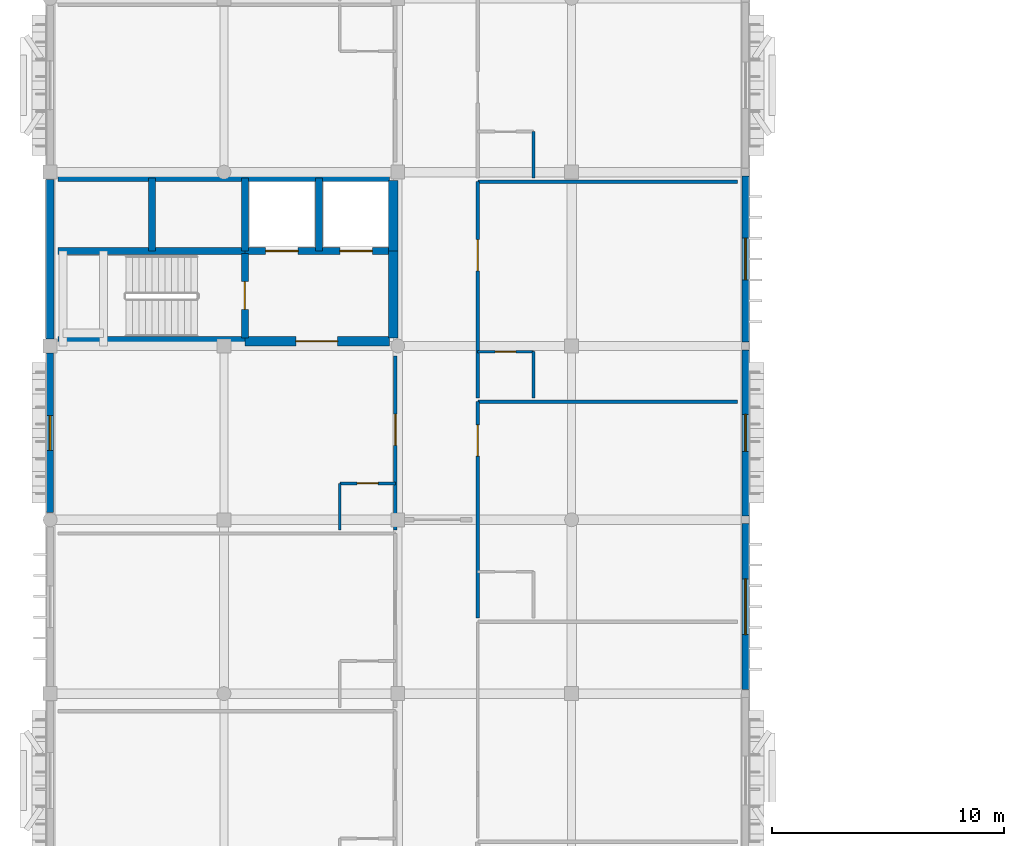
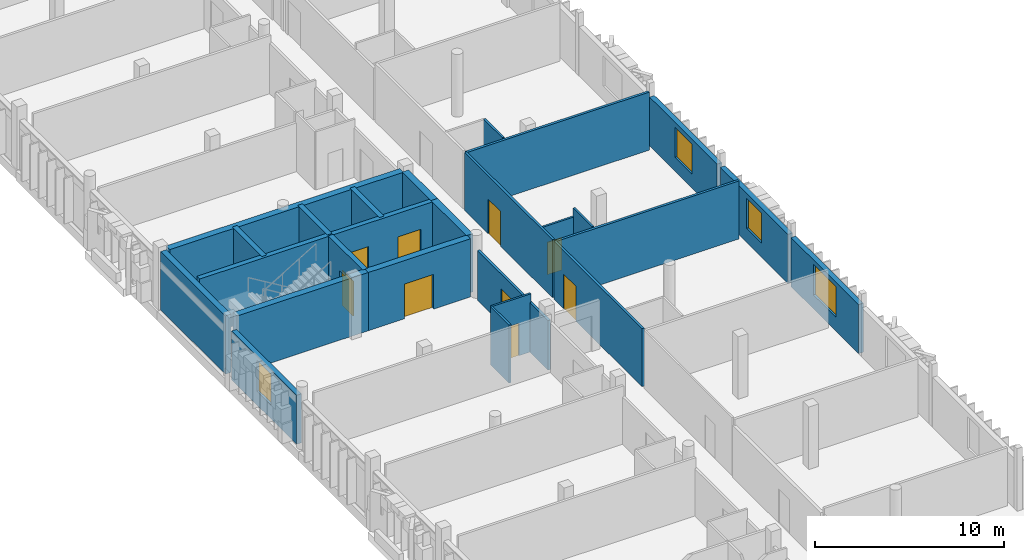
# One storey, part 13 of 33: 26 walls, 9 doors, 4 windows, 13 openings.
"""IFC4 building model written with IfcOpenShell, lengths in metres."""

from ifc_helpers import new_model, si_unit, direction, frame, frame_2d, origin, place, context, subcontext, project, spatial, rectangle, extrude, material, layer, layer_set, type_object, element, fill, save


model = new_model("IFC4")

# Units and contexts
model_context = context("Model", 3, precision=1e-05, world=origin(), true_north=direction((0.0, 1.0)))
body_context = subcontext(model_context, "Body", "Model", "MODEL_VIEW")
ifc_project = project(units=[si_unit("LENGTHUNIT", "METRE"), si_unit("AREAUNIT", "SQUARE_METRE"), si_unit("VOLUMEUNIT", "CUBIC_METRE"), si_unit("PLANEANGLEUNIT", "RADIAN"), si_unit("MASSUNIT", "GRAM", prefix="KILO")], contexts=[model_context])

# Site, building, storey
site_placement = place(None, origin())
site = spatial("IfcSite", under=ifc_project, at=site_placement, CompositionType="ELEMENT")
building_placement = place(site_placement, origin())
building = spatial("IfcBuilding", under=site, at=building_placement, Name="Dalvernix Boulevard General Hospital", CompositionType="ELEMENT")
storey_placement = place(building_placement, frame((0.0, 0.0, 21.89990234375)))
storey = spatial("IfcBuildingStorey", under=building, at=storey_placement, Name="L05", CompositionType="ELEMENT", Elevation=21.89990234375)

# Wall
ifc_material_1 = material(Name="Concrete C40/50", Category="concrete")
ifc_layer_1 = layer(ifc_material_1, 0.39990234375)
ifc_layer_set_1 = layer_set([ifc_layer_1], Name="Concrete C40/50 (WAL-CSW-01)")
wall_type_1 = type_object("IfcWallType", Name="WAL-CSW-01", PredefinedType="SHEAR", material=ifc_layer_set_1)
wall_1_placement = place(storey_placement, frame((0.35009765625, 54.199951171875, 0.0), z_axis=(0.0, 0.0, 1.0), x_axis=(1.0, 0.0, 0.0)))
element("IfcWall", 1, at=wall_1_placement, inside=storey, type_object=wall_type_1, Name="L05 C2 south stairwell wall", PredefinedType="SHEAR", context=body_context, shape_type="SweptSolid", body=[
    extrude(rectangle(XDim=8.0498046875, YDim=0.39990234375, at=frame_2d((4.02490234375, 0.0))), origin(), (0.0, 0.0, 1.0), 3.77001953125),
])

# Wall, opening, door
wall_2_placement = place(storey_placement, frame((8.39990234375, 54.199951171875, 0.0), z_axis=(0.0, 0.0, 1.0), x_axis=(1.0, 0.0, 0.0)))
wall_2 = element("IfcWall", 2, at=wall_2_placement, inside=storey, type_object=wall_type_1, Name="L05 C2 south firefighting lobby wall", PredefinedType="SHEAR", context=body_context, shape_type="SweptSolid", body=[
    extrude(rectangle(XDim=6.25, YDim=0.39990234375, at=frame_2d((3.125, 0.0))), origin(), (0.0, 0.0, 1.0), 3.77001953125),
])
opening_1_placement = place(wall_2_placement, frame((2.199951171875, 0.0, 0.0)))
opening_1 = element("IfcOpeningElement", 3, at=opening_1_placement, cuts=wall_2, Name="Opening FD-01", PredefinedType="OPENING", context=body_context, shape_type="SweptSolid", body=[
    extrude(rectangle(XDim=1.800048828125, YDim=2.25, at=frame_2d((0.89990234375, 1.125))), frame((0.0, 0.2099609375, 0.0), z_axis=(0.0, -1.0, 0.0), x_axis=(1.0, 0.0, 0.0)), (0.0, 0.0, 1.0), 0.419921875),
])
ifc_material_2 = material(Name="Hospital laminate acoustic timber and steel frame", Category="steel")
door_type_1 = type_object("IfcDoorType", Name="DR-FD-01", OperationType="DOUBLE_DOOR_SINGLE_SWING", PredefinedType="DOOR", material=ifc_material_2)
door_1_placement = place(opening_1_placement, origin())
door_1 = element("IfcDoor", 4, at=door_1_placement, inside=storey, type_object=door_type_1, Name="L05 C2 firefighting lobby door", OperationType="DOUBLE_DOOR_SINGLE_SWING", OverallHeight=2.25, OverallWidth=1.800048828125, PredefinedType="DOOR", context=body_context, shape_type="SweptSolid", body=[
    extrude(rectangle(XDim=1.800048828125, YDim=2.25, at=frame_2d((0.89990234375, 1.125))), frame((0.0, 0.02490234375, 0.0), z_axis=(0.0, -1.0, 0.0), x_axis=(1.0, 0.0, 0.0)), (0.0, 0.0, 1.0), 0.050048828125),
])
fill(opening_1, door_1)

# Walls
wall_3_placement = place(storey_placement, frame((0.35009765625, 61.300048828125, 0.0), z_axis=(0.0, 0.0, 1.0), x_axis=(1.0, 0.0, 0.0)))
element("IfcWall", 5, at=wall_3_placement, inside=storey, type_object=wall_type_1, Name="L05 C2 north shaft core wall", PredefinedType="SHEAR", context=body_context, shape_type="SweptSolid", body=[
    extrude(rectangle(XDim=14.2998046875, YDim=0.39990234375, at=frame_2d((7.14990234375, 0.0))), origin(), (0.0, 0.0, 1.0), 3.77001953125),
])
wall_4_placement = place(storey_placement, frame((14.800048828125, 54.35009765625, 0.0), z_axis=(0.0, 0.0, 1.0), x_axis=(0.0, 1.0, 0.0)))
element("IfcWall", 6, at=wall_4_placement, inside=storey, type_object=wall_type_1, Name="L05 C2 east lobby core wall", PredefinedType="SHEAR", context=body_context, shape_type="SweptSolid", body=[
    extrude(rectangle(XDim=3.75, YDim=0.39990234375, at=frame_2d((1.875, 0.0))), origin(), (0.0, 0.0, 1.0), 3.77001953125),
])
wall_5_placement = place(storey_placement, frame((14.800048828125, 58.10009765625, 0.0), z_axis=(0.0, 0.0, 1.0), x_axis=(0.0, 1.0, 0.0)))
element("IfcWall", 7, at=wall_5_placement, inside=storey, type_object=wall_type_1, Name="L05 C2 east shaft core wall", PredefinedType="SHEAR", context=body_context, shape_type="SweptSolid", body=[
    extrude(rectangle(XDim=3.0498046875, YDim=0.39990234375, at=frame_2d((1.52490234375, 0.0))), origin(), (0.0, 0.0, 1.0), 3.77001953125),
])
ifc_layer_2 = layer(ifc_material_1, 0.300048828125)
ifc_layer_set_2 = layer_set([ifc_layer_2], Name="Concrete C40/50 (WAL-CSW-02)")
wall_type_2 = type_object("IfcWallType", Name="WAL-CSW-02", PredefinedType="SHEAR", material=ifc_layer_set_2)
wall_6_placement = place(storey_placement, frame((0.35009765625, 58.10009765625, 0.0), z_axis=(0.0, 0.0, 1.0), x_axis=(1.0, 0.0, 0.0)))
element("IfcWall", 8, at=wall_6_placement, inside=storey, type_object=wall_type_2, Name="L05 C2 riser spine wall", PredefinedType="SHEAR", context=body_context, shape_type="SweptSolid", body=[
    extrude(rectangle(XDim=8.0498046875, YDim=0.300048828125, at=frame_2d((4.02490234375, 0.0))), origin(), (0.0, 0.0, 1.0), 3.77001953125),
])

# Wall, openings, doors
wall_7_placement = place(storey_placement, frame((8.39990234375, 58.10009765625, 0.0), z_axis=(0.0, 0.0, 1.0), x_axis=(1.0, 0.0, 0.0)))
wall_7 = element("IfcWall", 9, at=wall_7_placement, inside=storey, type_object=wall_type_2, Name="L05 C2 lift shaft front wall", PredefinedType="SHEAR", context=body_context, shape_type="SweptSolid", body=[
    extrude(rectangle(XDim=6.25, YDim=0.300048828125, at=frame_2d((3.125, 0.0))), origin(), (0.0, 0.0, 1.0), 3.77001953125),
])
opening_2_placement = place(wall_7_placement, frame((0.89990234375, 0.0, 0.0)))
opening_2 = element("IfcOpeningElement", 10, at=opening_2_placement, cuts=wall_7, Name="Opening LD-FFL-03-L05", PredefinedType="OPENING", context=body_context, shape_type="SweptSolid", body=[
    extrude(rectangle(XDim=1.39990234375, YDim=2.25, at=frame_2d((0.699951171875, 1.125))), frame((0.0, 0.159912109375, 0.0), z_axis=(0.0, -1.0, 0.0), x_axis=(1.0, 0.0, 0.0)), (0.0, 0.0, 1.0), 0.320068359375),
])
opening_3_placement = place(wall_7_placement, frame((4.10009765625, 0.0, 0.0)))
opening_3 = element("IfcOpeningElement", 11, at=opening_3_placement, cuts=wall_7, Name="Opening LD-FFL-04-L05", PredefinedType="OPENING", context=body_context, shape_type="SweptSolid", body=[
    extrude(rectangle(XDim=1.39990234375, YDim=2.25, at=frame_2d((0.699951171875, 1.125))), frame((0.0, 0.159912109375, 0.0), z_axis=(0.0, -1.0, 0.0), x_axis=(1.0, 0.0, 0.0)), (0.0, 0.0, 1.0), 0.320068359375),
])
ifc_material_3 = material(Name="Stainless-clad steel", Category="steel")
door_type_2 = type_object("IfcDoorType", Name="DR-LD-01", OperationType="DOUBLE_DOOR_SLIDING", PredefinedType="DOOR", material=ifc_material_3)
door_2_placement = place(opening_2_placement, origin())
door_2 = element("IfcDoor", 12, at=door_2_placement, inside=storey, type_object=door_type_2, Name="L05 Lift FFL-03 sliding landing door", OperationType="DOUBLE_DOOR_SLIDING", OverallHeight=2.25, OverallWidth=1.39990234375, PredefinedType="DOOR", context=body_context, shape_type="SweptSolid", body=[
    extrude(rectangle(XDim=1.39990234375, YDim=2.25, at=frame_2d((0.699951171875, 1.125))), frame((0.0, 0.02490234375, 0.0), z_axis=(0.0, -1.0, 0.0), x_axis=(1.0, 0.0, 0.0)), (0.0, 0.0, 1.0), 0.050048828125),
])
fill(opening_2, door_2)
door_3_placement = place(opening_3_placement, origin())
door_3 = element("IfcDoor", 13, at=door_3_placement, inside=storey, type_object=door_type_2, Name="L05 Lift FFL-04 sliding landing door", OperationType="DOUBLE_DOOR_SLIDING", OverallHeight=2.25, OverallWidth=1.39990234375, PredefinedType="DOOR", context=body_context, shape_type="SweptSolid", body=[
    extrude(rectangle(XDim=1.39990234375, YDim=2.25, at=frame_2d((0.699951171875, 1.125))), frame((0.0, 0.02490234375, 0.0), z_axis=(0.0, -1.0, 0.0), x_axis=(1.0, 0.0, 0.0)), (0.0, 0.0, 1.0), 0.050048828125),
])
fill(opening_3, door_3)

# Wall, opening, door
wall_8_placement = place(storey_placement, frame((8.39990234375, 58.0, 0.0), z_axis=(0.0, 0.0, 1.0), x_axis=(0.0, -1.0, 0.0)))
wall_8 = element("IfcWall", 14, at=wall_8_placement, inside=storey, type_object=wall_type_2, Name="L05 C2 stairwell fire wall", PredefinedType="SHEAR", context=body_context, shape_type="SweptSolid", body=[
    extrude(rectangle(XDim=3.64990234375, YDim=0.300048828125, at=frame_2d((1.824951171875, 0.0))), origin(), (0.0, 0.0, 1.0), 3.77001953125),
])
opening_4_placement = place(wall_8_placement, frame((1.219970703125, 0.0, 0.0)))
opening_4 = element("IfcOpeningElement", 15, at=opening_4_placement, cuts=wall_8, Name="Opening FD-02", PredefinedType="OPENING", context=body_context, shape_type="SweptSolid", body=[
    extrude(rectangle(XDim=1.199951171875, YDim=2.25, at=frame_2d((0.60009765625, 1.125))), frame((0.0, 0.159912109375, 0.0), z_axis=(0.0, -1.0, 0.0), x_axis=(1.0, 0.0, 0.0)), (0.0, 0.0, 1.0), 0.320068359375),
])
door_type_3 = type_object("IfcDoorType", Name="DR-FD-02", OperationType="NOTDEFINED", PredefinedType="DOOR", material=ifc_material_2)
door_4_placement = place(opening_4_placement, origin())
door_4 = element("IfcDoor", 16, at=door_4_placement, inside=storey, type_object=door_type_3, Name="L05 Stair ST-02 fire door", OperationType="SINGLE_SWING_LEFT", OverallHeight=2.25, OverallWidth=1.199951171875, PredefinedType="DOOR", context=body_context, shape_type="SweptSolid", body=[
    extrude(rectangle(XDim=1.199951171875, YDim=2.25, at=frame_2d((0.60009765625, 1.125))), frame((0.0, 0.02490234375, 0.0), z_axis=(0.0, -1.0, 0.0), x_axis=(1.0, 0.0, 0.0)), (0.0, 0.0, 1.0), 0.050048828125),
])
fill(opening_4, door_4)

# Walls
for number, where, z_axis, x_axis, name in (
    (17, (4.39990234375, 58.10009765625, 0.0), (0.0, 0.0, 1.0), (0.0, 1.0, 0.0), "L05 C2 shaft divider R1"),
    (18, (8.39990234375, 58.10009765625, 0.0), (0.0, 0.0, 1.0), (0.0, 1.0, 0.0), "L05 C2 shaft divider R2"),
    (19, (11.60009765625, 58.10009765625, 0.0), (0.0, 0.0, 1.0), (0.0, 1.0, 0.0), "L05 C2 shaft divider L1"),
):
    element("IfcWall", number, at=place(storey_placement, frame(where, z_axis=z_axis, x_axis=x_axis)), inside=storey, type_object=wall_type_2, Name=name, PredefinedType="SHEAR", context=body_context, shape_type="SweptSolid", body=[
        extrude(rectangle(XDim=3.14990234375, YDim=0.300048828125, at=frame_2d((1.574951171875, 0.0))), origin(), (0.0, 0.0, 1.0), 3.77001953125),
    ])
ifc_layer_3 = layer(ifc_material_1, 0.35009765625)
ifc_layer_set_3 = layer_set([ifc_layer_3], Name="Concrete C40/50 (WAL-ESW-01)")
wall_type_3 = type_object("IfcWallType", Name="WAL-ESW-01", PredefinedType="SHEAR", material=ifc_layer_set_3)
wall_9_placement = place(storey_placement, frame((0.0, 54.31005859375, 0.0), z_axis=(0.0, 0.0, 1.0), x_axis=(0.0, 1.0, 0.0)))
element("IfcWall", 20, at=wall_9_placement, inside=storey, type_object=wall_type_3, Name="L05 core perimeter shear wall W 0-7", PredefinedType="SHEAR", context=body_context, shape_type="SweptSolid", body=[
    extrude(rectangle(XDim=6.8798828125, YDim=0.35009765625, at=frame_2d((3.43994140625, 0.0))), origin(), (0.0, 0.0, 1.0), 3.77001953125),
])

# Wall, opening, window
ifc_material_4 = material(Name="Pressed Catalan clay brick and ceramic spandrel wall C35/45", Category="masonry")
ifc_layer_4 = layer(ifc_material_4, 0.300048828125)
ifc_layer_set_4 = layer_set([ifc_layer_4], Name="Pressed Catalan clay brick and ceramic spandrel wall C35/45 (WAL-EW-02)")
wall_type_4 = type_object("IfcWallType", Name="WAL-EW-02", PredefinedType="STANDARD", material=ifc_layer_set_4)
wall_10_placement = place(storey_placement, frame((0.0, 46.81005859375, 0.0), z_axis=(0.0, 0.0, 1.0), x_axis=(0.0, 1.0, 0.0)))
wall_10 = element("IfcWall", 21, at=wall_10_placement, inside=storey, type_object=wall_type_4, Name="L05 Catalan brick external wall W 0-6", PredefinedType="STANDARD", context=body_context, shape_type="SweptSolid", body=[
    extrude(rectangle(XDim=6.8798828125, YDim=0.300048828125, at=frame_2d((3.43994140625, 0.0))), origin(), (0.0, 0.0, 1.0), 3.170166015625),
])
opening_5_placement = place(wall_10_placement, frame((2.68994140625, 0.0, 0.89990234375)))
opening_5 = element("IfcOpeningElement", 22, at=opening_5_placement, cuts=wall_10, Name="Opening WN-06", PredefinedType="OPENING", context=body_context, shape_type="SweptSolid", body=[
    extrude(rectangle(XDim=1.5, YDim=1.989990234375, at=frame_2d((0.75, 0.9951171875))), frame((0.0, 0.159912109375, 0.0), z_axis=(0.0, -1.0, 0.0), x_axis=(1.0, 0.0, 0.0)), (0.0, 0.0, 1.0), 0.320068359375),
])
ifc_material_5 = material(Name="Thermally broken aluminium frame with solar-control double glazing", Category="aluminium")
window_type_1 = type_object("IfcWindowType", Name="WIN-WN-06", PartitioningType="SINGLE_PANEL", PredefinedType="WINDOW", material=ifc_material_5)
window_1_placement = place(opening_5_placement, origin())
window_1 = element("IfcWindow", 23, at=window_1_placement, inside=storey, type_object=window_type_1, Name="L05 clinical window WN-06 W 0-6", OverallHeight=1.989990234375, OverallWidth=1.5, PartitioningType="SINGLE_PANEL", PredefinedType="WINDOW", context=body_context, shape_type="SweptSolid", body=[
    extrude(rectangle(XDim=1.5, YDim=1.989990234375, at=frame_2d((0.75, 0.9951171875))), frame((0.0, 0.030029296875, 0.0), z_axis=(0.0, -1.0, 0.0), x_axis=(1.0, 0.0, 0.0)), (0.0, 0.0, 1.0), 0.06005859375),
])
fill(opening_5, window_1)

wall_11_placement = place(storey_placement, frame((30.0, 46.330078125, 0.0), z_axis=(0.0, 0.0, 1.0), x_axis=(0.0, -1.0, 0.0)))
wall_11 = element("IfcWall", 24, at=wall_11_placement, inside=storey, type_object=wall_type_4, Name="L05 Catalan brick external wall E 4-5", PredefinedType="STANDARD", context=body_context, shape_type="SweptSolid", body=[
    extrude(rectangle(XDim=7.16015625, YDim=0.300048828125, at=frame_2d((3.580078125, 0.0))), origin(), (0.0, 0.0, 1.0), 3.170166015625),
])
opening_6_placement = place(wall_11_placement, frame((2.3798828125, 0.0, 0.89990234375)))
opening_6 = element("IfcOpeningElement", 25, at=opening_6_placement, cuts=wall_11, Name="Opening WN-09", PredefinedType="OPENING", context=body_context, shape_type="SweptSolid", body=[
    extrude(rectangle(XDim=2.39990234375, YDim=1.989990234375, at=frame_2d((1.199951171875, 0.9951171875))), frame((0.0, 0.159912109375, 0.0), z_axis=(0.0, -1.0, 0.0), x_axis=(1.0, 0.0, 0.0)), (0.0, 0.0, 1.0), 0.320068359375),
])
window_type_2 = type_object("IfcWindowType", Name="WIN-WN-09", PartitioningType="SINGLE_PANEL", PredefinedType="WINDOW", material=ifc_material_5)
window_2_placement = place(opening_6_placement, origin())
window_2 = element("IfcWindow", 26, at=window_2_placement, inside=storey, type_object=window_type_2, Name="L05 clinical window WN-09 E 4-5", OverallHeight=1.989990234375, OverallWidth=2.39990234375, PartitioningType="SINGLE_PANEL", PredefinedType="WINDOW", context=body_context, shape_type="SweptSolid", body=[
    extrude(rectangle(XDim=2.39990234375, YDim=1.989990234375, at=frame_2d((1.199951171875, 0.9951171875))), frame((0.0, 0.030029296875, 0.0), z_axis=(0.0, -1.0, 0.0), x_axis=(1.0, 0.0, 0.0)), (0.0, 0.0, 1.0), 0.06005859375),
])
fill(opening_6, window_2)

wall_12_placement = place(storey_placement, frame((30.0, 53.830078125, 0.0), z_axis=(0.0, 0.0, 1.0), x_axis=(0.0, -1.0, 0.0)))
wall_12 = element("IfcWall", 27, at=wall_12_placement, inside=storey, type_object=wall_type_4, Name="L05 Catalan brick external wall E 4-6", PredefinedType="STANDARD", context=body_context, shape_type="SweptSolid", body=[
    extrude(rectangle(XDim=7.16015625, YDim=0.300048828125, at=frame_2d((3.580078125, 0.0))), origin(), (0.0, 0.0, 1.0), 3.170166015625),
])
opening_7_placement = place(wall_12_placement, frame((2.780029296875, 0.0, 0.89990234375)))
opening_7 = element("IfcOpeningElement", 28, at=opening_7_placement, cuts=wall_12, Name="Opening WN-10", PredefinedType="OPENING", context=body_context, shape_type="SweptSolid", body=[
    extrude(rectangle(XDim=1.60009765625, YDim=1.949951171875, at=frame_2d((0.800048828125, 0.97509765625))), frame((0.0, 0.159912109375, 0.0), z_axis=(0.0, -1.0, 0.0), x_axis=(1.0, 0.0, 0.0)), (0.0, 0.0, 1.0), 0.320068359375),
])
window_type_3 = type_object("IfcWindowType", Name="WIN-WN-10", PartitioningType="SINGLE_PANEL", PredefinedType="WINDOW", material=ifc_material_5)
window_3_placement = place(opening_7_placement, origin())
window_3 = element("IfcWindow", 29, at=window_3_placement, inside=storey, type_object=window_type_3, Name="L05 clinical window WN-10 E 4-6", OverallHeight=1.949951171875, OverallWidth=1.60009765625, PartitioningType="SINGLE_PANEL", PredefinedType="WINDOW", context=body_context, shape_type="SweptSolid", body=[
    extrude(rectangle(XDim=1.60009765625, YDim=1.949951171875, at=frame_2d((0.800048828125, 0.97509765625))), frame((0.0, 0.030029296875, 0.0), z_axis=(0.0, -1.0, 0.0), x_axis=(1.0, 0.0, 0.0)), (0.0, 0.0, 1.0), 0.06005859375),
])
fill(opening_7, window_3)

wall_13_placement = place(storey_placement, frame((30.0, 61.330078125, 0.0), z_axis=(0.0, 0.0, 1.0), x_axis=(0.0, -1.0, 0.0)))
wall_13 = element("IfcWall", 30, at=wall_13_placement, inside=storey, type_object=wall_type_4, Name="L05 Catalan brick external wall E 4-7", PredefinedType="STANDARD", context=body_context, shape_type="SweptSolid", body=[
    extrude(rectangle(XDim=7.16015625, YDim=0.300048828125, at=frame_2d((3.580078125, 0.0))), origin(), (0.0, 0.0, 1.0), 3.170166015625),
])
opening_8_placement = place(wall_13_placement, frame((2.679931640625, 0.0, 0.89990234375)))
opening_8 = element("IfcOpeningElement", 31, at=opening_8_placement, cuts=wall_13, Name="Opening WN-11", PredefinedType="OPENING", context=body_context, shape_type="SweptSolid", body=[
    extrude(rectangle(XDim=1.800048828125, YDim=1.949951171875, at=frame_2d((0.89990234375, 0.97509765625))), frame((0.0, 0.159912109375, 0.0), z_axis=(0.0, -1.0, 0.0), x_axis=(1.0, 0.0, 0.0)), (0.0, 0.0, 1.0), 0.320068359375),
])
window_type_4 = type_object("IfcWindowType", Name="WIN-WN-11", PartitioningType="SINGLE_PANEL", PredefinedType="WINDOW", material=ifc_material_5)
window_4_placement = place(opening_8_placement, origin())
window_4 = element("IfcWindow", 32, at=window_4_placement, inside=storey, type_object=window_type_4, Name="L05 clinical window WN-11 E 4-7", OverallHeight=1.949951171875, OverallWidth=1.800048828125, PartitioningType="SINGLE_PANEL", PredefinedType="WINDOW", context=body_context, shape_type="SweptSolid", body=[
    extrude(rectangle(XDim=1.800048828125, YDim=1.949951171875, at=frame_2d((0.89990234375, 0.97509765625))), frame((0.0, 0.030029296875, 0.0), z_axis=(0.0, -1.0, 0.0), x_axis=(1.0, 0.0, 0.0)), (0.0, 0.0, 1.0), 0.06005859375),
])
fill(opening_8, window_4)

# Wall, opening, door
ifc_material_6 = material(Name="Acoustic double-stud gypsum inpatient partition")
ifc_layer_5 = layer(ifc_material_6, 0.14990234375)
ifc_layer_set_5 = layer_set([ifc_layer_5], Name="Acoustic double-stud gypsum inpatient partition (WAL-IW-04)")
wall_type_5 = type_object("IfcWallType", Name="WAL-IW-04", PredefinedType="PARTITIONING", material=ifc_layer_set_5)
wall_14_placement = place(storey_placement, frame((14.89990234375, 46.070068359375, 0.0), z_axis=(0.0, 0.0, 1.0), x_axis=(0.0, 1.0, 0.0)))
wall_14 = element("IfcWall", 33, at=wall_14_placement, inside=storey, type_object=wall_type_5, Name="L05 Orthopaedic Single Patient Room L05-W06 corridor wall", PredefinedType="PARTITIONING", context=body_context, shape_type="SweptSolid", body=[
    extrude(rectangle(XDim=7.5, YDim=0.14990234375, at=frame_2d((3.75, 0.0))), origin(), (0.0, 0.0, 1.0), 3.205078125),
])
opening_9_placement = place(wall_14_placement, frame((3.639892578125, 0.0, 0.0)))
opening_9 = element("IfcOpeningElement", 34, at=opening_9_placement, cuts=wall_14, Name="Opening ID-01", PredefinedType="OPENING", context=body_context, shape_type="SweptSolid", body=[
    extrude(rectangle(XDim=1.35009765625, YDim=2.25, at=frame_2d((0.675048828125, 1.125))), frame((0.0, 0.0849609375, 0.0), z_axis=(0.0, -1.0, 0.0), x_axis=(1.0, 0.0, 0.0)), (0.0, 0.0, 1.0), 0.169921875),
])
door_type_4 = type_object("IfcDoorType", Name="DR-ID-01", OperationType="NOTDEFINED", PredefinedType="DOOR", material=ifc_material_2)
door_5_placement = place(opening_9_placement, origin())
door_5 = element("IfcDoor", 35, at=door_5_placement, inside=storey, type_object=door_type_4, Name="L05 Orthopaedic Single Patient Room L05-W06 door", OperationType="SINGLE_SWING_RIGHT", OverallHeight=2.25, OverallWidth=1.35009765625, PredefinedType="DOOR", context=body_context, shape_type="SweptSolid", body=[
    extrude(rectangle(XDim=1.35009765625, YDim=2.25, at=frame_2d((0.675048828125, 1.125))), frame((0.0, 0.02490234375, 0.0), z_axis=(0.0, -1.0, 0.0), x_axis=(1.0, 0.0, 0.0)), (0.0, 0.0, 1.0), 0.050048828125),
])
fill(opening_9, door_5)

wall_15_placement = place(storey_placement, frame((18.449951171875, 51.594970703125, 0.0), z_axis=(0.0, 0.0, 1.0), x_axis=(0.0, -1.0, 0.0)))
wall_15 = element("IfcWall", 36, at=wall_15_placement, inside=storey, type_object=wall_type_5, Name="L05 Single Patient Room L05-E03 corridor wall", PredefinedType="PARTITIONING", context=body_context, shape_type="SweptSolid", body=[
    extrude(rectangle(XDim=9.333740234375, YDim=0.14990234375, at=frame_2d((4.6669921875, 0.0))), origin(), (0.0, 0.0, 1.0), 3.755126953125),
])
opening_10_placement = place(wall_15_placement, frame((0.998291015625, 0.0, 0.0)))
opening_10 = element("IfcOpeningElement", 37, at=opening_10_placement, cuts=wall_15, Name="Opening ID-01", PredefinedType="OPENING", context=body_context, shape_type="SweptSolid", body=[
    extrude(rectangle(XDim=1.35009765625, YDim=2.25, at=frame_2d((0.675048828125, 1.125))), frame((0.0, 0.0849609375, 0.0), z_axis=(0.0, -1.0, 0.0), x_axis=(1.0, 0.0, 0.0)), (0.0, 0.0, 1.0), 0.169921875),
])
door_6_placement = place(opening_10_placement, origin())
door_6 = element("IfcDoor", 38, at=door_6_placement, inside=storey, type_object=door_type_4, Name="L05 Single Patient Room L05-E03 door", OperationType="SINGLE_SWING_LEFT", OverallHeight=2.25, OverallWidth=1.35009765625, PredefinedType="DOOR", context=body_context, shape_type="SweptSolid", body=[
    extrude(rectangle(XDim=1.35009765625, YDim=2.25, at=frame_2d((0.675048828125, 1.125))), frame((0.0, 0.02490234375, 0.0), z_axis=(0.0, -1.0, 0.0), x_axis=(1.0, 0.0, 0.0)), (0.0, 0.0, 1.0), 0.050048828125),
])
fill(opening_10, door_6)

wall_16_placement = place(storey_placement, frame((18.449951171875, 61.0888671875, 0.0), z_axis=(0.0, 0.0, 1.0), x_axis=(0.0, -1.0, 0.0)))
wall_16 = element("IfcWall", 39, at=wall_16_placement, inside=storey, type_object=wall_type_5, Name="L05 Single Patient Room L05-E04 corridor wall", PredefinedType="PARTITIONING", context=body_context, shape_type="SweptSolid", body=[
    extrude(rectangle(XDim=9.333984375, YDim=0.14990234375, at=frame_2d((4.6669921875, 0.0))), origin(), (0.0, 0.0, 1.0), 3.755126953125),
])
opening_11_placement = place(wall_16_placement, frame((2.4951171875, 0.0, 0.0)))
opening_11 = element("IfcOpeningElement", 40, at=opening_11_placement, cuts=wall_16, Name="Opening ID-01", PredefinedType="OPENING", context=body_context, shape_type="SweptSolid", body=[
    extrude(rectangle(XDim=1.35009765625, YDim=2.25, at=frame_2d((0.675048828125, 1.125))), frame((0.0, 0.0849609375, 0.0), z_axis=(0.0, -1.0, 0.0), x_axis=(1.0, 0.0, 0.0)), (0.0, 0.0, 1.0), 0.169921875),
])
door_7_placement = place(opening_11_placement, origin())
door_7 = element("IfcDoor", 41, at=door_7_placement, inside=storey, type_object=door_type_4, Name="L05 Single Patient Room L05-E04 door", OperationType="SINGLE_SWING_LEFT", OverallHeight=2.25, OverallWidth=1.35009765625, PredefinedType="DOOR", context=body_context, shape_type="SweptSolid", body=[
    extrude(rectangle(XDim=1.35009765625, YDim=2.25, at=frame_2d((0.675048828125, 1.125))), frame((0.0, 0.02490234375, 0.0), z_axis=(0.0, -1.0, 0.0), x_axis=(1.0, 0.0, 0.0)), (0.0, 0.0, 1.0), 0.050048828125),
])
fill(opening_11, door_7)

# Walls
for number, where, z_axis, x_axis, name in (
    (42, (18.449951171875, 51.594970703125, 0.0), (0.0, 0.0, 1.0), (1.0, 0.0, 0.0), "L05 Single Patient Room L05-E03 partition"),
    (43, (18.449951171875, 61.0888671875, 0.0), (0.0, 0.0, 1.0), (1.0, 0.0, 0.0), "L05 Single Patient Room L05-E04 partition"),
):
    element("IfcWall", number, at=place(storey_placement, frame(where, z_axis=z_axis, x_axis=x_axis)), inside=storey, type_object=wall_type_5, Name=name, PredefinedType="PARTITIONING", context=body_context, shape_type="SweptSolid", body=[
        extrude(rectangle(XDim=11.199951171875, YDim=0.14990234375, at=frame_2d((5.60009765625, 0.0))), origin(), (0.0, 0.0, 1.0), 3.755126953125),
    ])

# Wall, opening, door
ifc_material_7 = material(Name="Moisture-resistant en-suite bathroom partition")
ifc_layer_6 = layer(ifc_material_7, 0.1201171875)
ifc_layer_set_6 = layer_set([ifc_layer_6], Name="Moisture-resistant en-suite bathroom partition (WAL-IW-05)")
wall_type_6 = type_object("IfcWallType", Name="WAL-IW-05", PredefinedType="PARTITIONING", material=ifc_layer_set_6)
wall_17_placement = place(storey_placement, frame((14.89990234375, 48.070068359375, 0.0), z_axis=(0.0, 0.0, 1.0), x_axis=(-1.0, 0.0, 0.0)))
wall_17 = element("IfcWall", 44, at=wall_17_placement, inside=storey, type_object=wall_type_6, Name="L05 en-suite bathroom door wall", PredefinedType="PARTITIONING", context=body_context, shape_type="SweptSolid", body=[
    extrude(rectangle(XDim=2.39990234375, YDim=0.1201171875, at=frame_2d((1.199951171875, 0.0))), origin(), (0.0, 0.0, 1.0), 3.755126953125),
])
opening_12_placement = place(wall_17_placement, frame((0.75, 0.0, 0.0)))
opening_12 = element("IfcOpeningElement", 45, at=opening_12_placement, cuts=wall_17, Name="Opening ID-05", PredefinedType="OPENING", context=body_context, shape_type="SweptSolid", body=[
    extrude(rectangle(XDim=0.89990234375, YDim=2.10009765625, at=frame_2d((0.449951171875, 1.050048828125))), frame((0.0, 0.070068359375, 0.0), z_axis=(0.0, -1.0, 0.0), x_axis=(1.0, 0.0, 0.0)), (0.0, 0.0, 1.0), 0.14013671875),
])
door_type_5 = type_object("IfcDoorType", Name="DR-ID-05", OperationType="NOTDEFINED", PredefinedType="DOOR", material=ifc_material_2)
door_8_placement = place(opening_12_placement, origin())
door_8 = element("IfcDoor", 46, at=door_8_placement, inside=storey, type_object=door_type_5, Name="L05 L05-WRD-W06 en-suite bathroom door", OperationType="SINGLE_SWING_LEFT", OverallHeight=2.10009765625, OverallWidth=0.89990234375, PredefinedType="DOOR", context=body_context, shape_type="SweptSolid", body=[
    extrude(rectangle(XDim=0.89990234375, YDim=2.10009765625, at=frame_2d((0.449951171875, 1.050048828125))), frame((0.0, 0.02490234375, 0.0), z_axis=(0.0, -1.0, 0.0), x_axis=(1.0, 0.0, 0.0)), (0.0, 0.0, 1.0), 0.050048828125),
])
fill(opening_12, door_8)

# Wall
wall_18_placement = place(storey_placement, frame((12.5, 46.070068359375, 0.0), z_axis=(0.0, 0.0, 1.0), x_axis=(0.0, 1.0, 0.0)))
element("IfcWall", 47, at=wall_18_placement, inside=storey, type_object=wall_type_6, Name="L05 en-suite bathroom side wall", PredefinedType="PARTITIONING", context=body_context, shape_type="SweptSolid", body=[
    extrude(rectangle(XDim=2.0, YDim=0.1201171875, at=frame_2d((1.0, 0.0))), origin(), (0.0, 0.0, 1.0), 3.755126953125),
])

# Wall, opening, door
wall_19_placement = place(storey_placement, frame((20.85009765625, 53.7548828125, 0.0), z_axis=(0.0, 0.0, 1.0), x_axis=(-1.0, 0.0, 0.0)))
wall_19 = element("IfcWall", 48, at=wall_19_placement, inside=storey, type_object=wall_type_6, Name="L05 en-suite bathroom door wall", PredefinedType="PARTITIONING", context=body_context, shape_type="SweptSolid", body=[
    extrude(rectangle(XDim=2.400146484375, YDim=0.1201171875, at=frame_2d((1.2001953125, 0.0))), origin(), (0.0, 0.0, 1.0), 3.205078125),
])
opening_13_placement = place(wall_19_placement, frame((0.75, 0.0, 0.0)))
opening_13 = element("IfcOpeningElement", 49, at=opening_13_placement, cuts=wall_19, Name="Opening ID-05", PredefinedType="OPENING", context=body_context, shape_type="SweptSolid", body=[
    extrude(rectangle(XDim=0.89990234375, YDim=2.10009765625, at=frame_2d((0.449951171875, 1.050048828125))), frame((0.0, 0.070068359375, 0.0), z_axis=(0.0, -1.0, 0.0), x_axis=(1.0, 0.0, 0.0)), (0.0, 0.0, 1.0), 0.14013671875),
])
door_9_placement = place(opening_13_placement, origin())
door_9 = element("IfcDoor", 50, at=door_9_placement, inside=storey, type_object=door_type_5, Name="L05 L05-RM-E04 en-suite bathroom door", OperationType="SINGLE_SWING_RIGHT", OverallHeight=2.10009765625, OverallWidth=0.89990234375, PredefinedType="DOOR", context=body_context, shape_type="SweptSolid", body=[
    extrude(rectangle(XDim=0.89990234375, YDim=2.10009765625, at=frame_2d((0.449951171875, 1.050048828125))), frame((0.0, 0.02490234375, 0.0), z_axis=(0.0, -1.0, 0.0), x_axis=(1.0, 0.0, 0.0)), (0.0, 0.0, 1.0), 0.050048828125),
])
fill(opening_13, door_9)

# Walls
for number, where, z_axis, x_axis, name in (
    (51, (20.85009765625, 51.7548828125, 0.0), (0.0, 0.0, 1.0), (0.0, 1.0, 0.0), "L05 en-suite bathroom side wall"),
    (52, (20.85009765625, 61.248779296875, 0.0), (0.0, 0.0, 1.0), (0.0, 1.0, 0.0), "L05 en-suite bathroom side wall"),
):
    element("IfcWall", number, at=place(storey_placement, frame(where, z_axis=z_axis, x_axis=x_axis)), inside=storey, type_object=wall_type_6, Name=name, PredefinedType="PARTITIONING", context=body_context, shape_type="SweptSolid", body=[
        extrude(rectangle(XDim=2.0, YDim=0.1201171875, at=frame_2d((1.0, 0.0))), origin(), (0.0, 0.0, 1.0), 3.755126953125),
    ])

save(model, "model.ifc")
